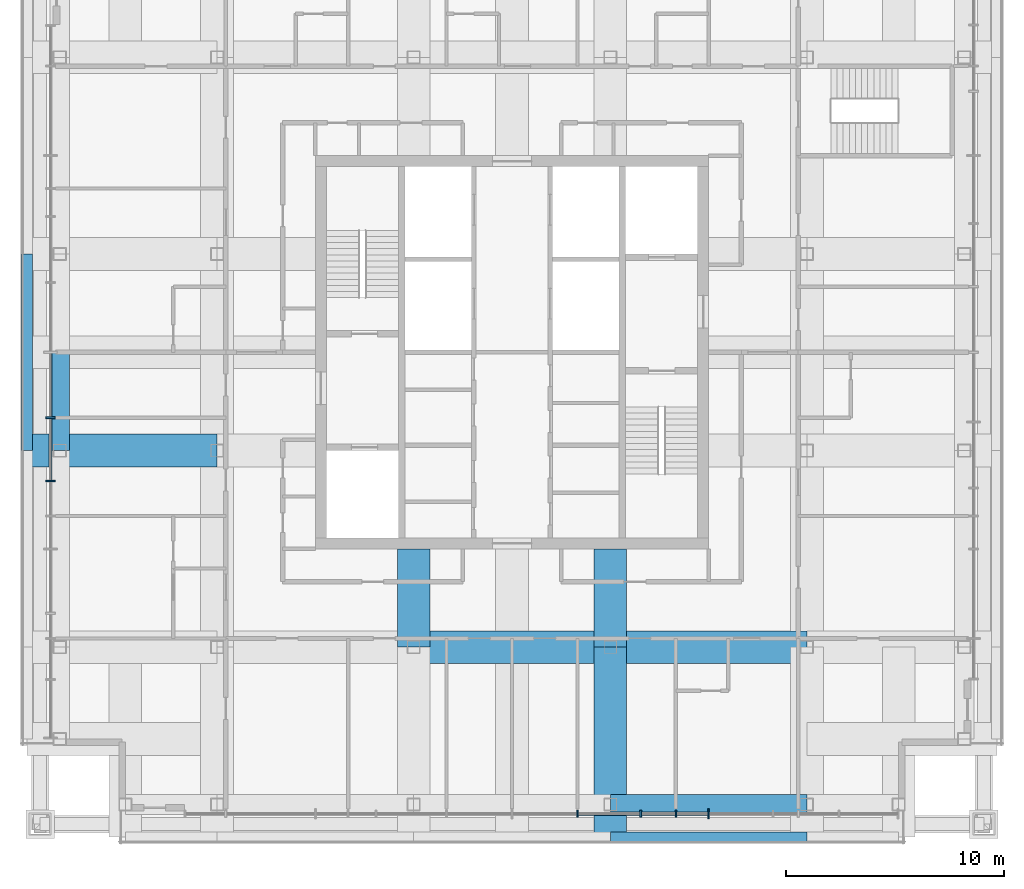
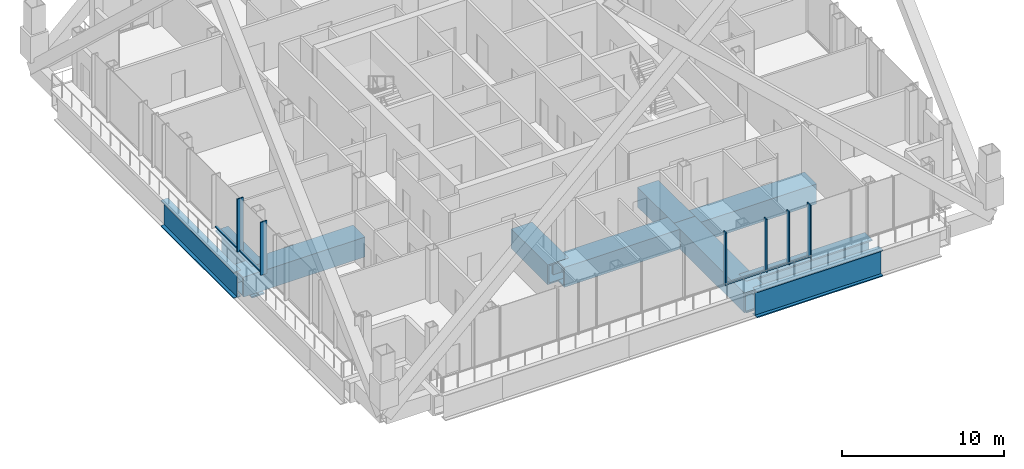
# One storey, part 4 of 19: 11 members, 10 beams, 2 elements without a shape of their own.
"""IFC4 building model written with IfcOpenShell, lengths in metres."""

import ifcopenshell
import ifcopenshell.guid

model = None  # the IFC model being written
_history = None  # IfcOwnerHistory: only IFC2X3 demands one
_inside = {}  # id of a spatial element -> (the spatial element, [elements in it])
_under = {}  # id of a project, library or spatial element -> (it, [spatial elements below it])
_declared = {}  # id of a project -> (the project, [libraries it declares])
_typed = {}  # id of a type object -> (the type object, [elements of that type])
_made_of = {}  # id of a material, layer set ... -> (it, [elements and type objects made of it])


def new_model(schema):
    """Start an empty IFC model of exactly this schema.

    Asked for "IFC4X3", IfcOpenShell would pick the latest addendum, in which some entities
    have other attributes; the version numbers below select the first issue.
    IFC2X3 requires an IfcOwnerHistory on every rooted entity: one is made here for all.
    """
    global model, _history
    if schema == "IFC4X3":
        model = ifcopenshell.file(schema_version=(4, 3, 0, 0))
    else:
        model = ifcopenshell.file(schema=schema)
    _inside.clear()
    _under.clear()
    _declared.clear()
    _typed.clear()
    _made_of.clear()
    _history = None
    if model.schema == "IFC2X3":
        org = make("IfcOrganization", Name="unknown")
        user = make(
            "IfcPersonAndOrganization",
            ThePerson=make("IfcPerson", FamilyName="unknown"),
            TheOrganization=org,
        )
        app = make(
            "IfcApplication",
            ApplicationDeveloper=org,
            Version="unknown",
            ApplicationFullName="unknown",
            ApplicationIdentifier="unknown",
        )
        _history = make(
            "IfcOwnerHistory",
            OwningUser=user,
            OwningApplication=app,
            ChangeAction="ADDED",
            CreationDate=0,
        )
    return model


def make(cls, **values):
    """One entity of the class cls with the attributes given. An attribute that is None is left unset."""
    return model.create_entity(
        cls, **{name: value for name, value in values.items() if value is not None}
    )


def rooted(cls, **values):
    """An entity with a GlobalId (a new one), such as an element, a storey or a relation."""
    return make(cls, GlobalId=ifcopenshell.guid.new(), OwnerHistory=_history, **values)


def si_unit(unit_type, name, prefix=None):
    """IfcSIUnit, for example si_unit("LENGTHUNIT", "METRE", prefix="MILLI")."""
    return make("IfcSIUnit", UnitType=unit_type, Prefix=prefix, Name=name)


def assignment(units):
    """IfcUnitAssignment: the units of a project."""
    return None if units is None else make("IfcUnitAssignment", Units=units)


def point(xyz):
    """IfcCartesianPoint."""
    return None if xyz is None else make("IfcCartesianPoint", Coordinates=xyz)


def direction(xyz):
    """IfcDirection."""
    return None if xyz is None else make("IfcDirection", DirectionRatios=xyz)


def frame(location, z_axis=None, x_axis=None):
    """IfcAxis2Placement3D, a coordinate frame: its origin and axes. An axis left out is left unset."""
    return make(
        "IfcAxis2Placement3D",
        Location=point(location),
        Axis=direction(z_axis),
        RefDirection=direction(x_axis),
    )


def frame_2d(location, x_axis=None):
    """IfcAxis2Placement2D, a coordinate frame in the plane: its origin and x axis."""
    return make(
        "IfcAxis2Placement2D", Location=point(location), RefDirection=direction(x_axis)
    )


def origin():
    """The frame at (0, 0, 0) with its axes left unset."""
    return frame((0.0, 0.0, 0.0))


def origin_2d():
    """The frame at (0, 0) in the plane with its x axis left unset."""
    return frame_2d((0.0, 0.0))


def place(relative_to, where):
    """IfcLocalPlacement: puts the frame where relative to a parent placement (None: the world)."""
    return make(
        "IfcLocalPlacement", PlacementRelTo=relative_to, RelativePlacement=where
    )


def context(
    kind, dimensions, precision=None, world=None, true_north=None, identifier=None
):
    """IfcGeometricRepresentationContext, for example the 3D "Model" context."""
    return make(
        "IfcGeometricRepresentationContext",
        ContextIdentifier=identifier,
        ContextType=kind,
        CoordinateSpaceDimension=dimensions,
        Precision=precision,
        WorldCoordinateSystem=world,
        TrueNorth=true_north,
    )


def subcontext(parent, identifier, kind, view, scale=None):
    """IfcGeometricRepresentationSubContext, for example "Body" below "Model"."""
    return make(
        "IfcGeometricRepresentationSubContext",
        ContextIdentifier=identifier,
        ContextType=kind,
        ParentContext=parent,
        TargetScale=scale,
        TargetView=view,
    )


def project(units=None, contexts=None):
    """IfcProject with its units and contexts."""
    return rooted(
        "IfcProject",
        Name="project",
        RepresentationContexts=contexts,
        UnitsInContext=assignment(units),
    )


def spatial(cls, under=None, at=None, **own):
    """A site, building, storey or space (cls), placed at a placement, below another one or the project."""
    s = rooted(cls, ObjectPlacement=at, **own)
    if under is not None:
        _under.setdefault(under.id(), (under, []))[1].append(s)
    return s


def profile(cls, at=None, kind="AREA", **sizes):
    """A parametric profile (cls). Its sizes go by their IFC names, for example OverallWidth=200.0."""
    return make(cls, ProfileType=kind, Position=at, **sizes)


def rectangle(**sizes):
    """IfcRectangleProfileDef."""
    return profile("IfcRectangleProfileDef", **sizes)


def hollow_rectangle(**sizes):
    """IfcRectangleHollowProfileDef."""
    return profile("IfcRectangleHollowProfileDef", **sizes)


def i_section(**sizes):
    """IfcIShapeProfileDef."""
    return profile("IfcIShapeProfileDef", **sizes)


def extrude(swept, where, along, depth):
    """IfcExtrudedAreaSolid: the profile swept, set in the frame where, extruded along a direction by depth."""
    return make(
        "IfcExtrudedAreaSolid",
        SweptArea=swept,
        Position=where,
        ExtrudedDirection=direction(along),
        Depth=depth,
    )


def shape(context_of_items, identifier, shape_type, items):
    """IfcShapeRepresentation: the items that make up one representation, for example the "Body"."""
    return make(
        "IfcShapeRepresentation",
        ContextOfItems=context_of_items,
        RepresentationIdentifier=identifier,
        RepresentationType=shape_type,
        Items=items,
    )


def material(Name=None, Category=None):
    """IfcMaterial."""
    return make("IfcMaterial", Name=Name, Category=Category)


def layer(
    of_material, thickness, ventilated=None, Name=None, Category=None, Priority=None
):
    """IfcMaterialLayer: one layer of a wall or slab, of a material (None: an air gap)."""
    return make(
        "IfcMaterialLayer",
        Material=of_material,
        LayerThickness=thickness,
        IsVentilated=ventilated,
        Name=Name,
        Category=Category,
        Priority=Priority,
    )


def layer_set(layers, Name=None):
    """IfcMaterialLayerSet."""
    return make("IfcMaterialLayerSet", MaterialLayers=layers, LayerSetName=Name)


def material_profile(
    of_material, cross_section, Name=None, Category=None, Priority=None
):
    """IfcMaterialProfile: a cross section and its material."""
    return make(
        "IfcMaterialProfile",
        Name=Name,
        Material=of_material,
        Profile=cross_section,
        Priority=Priority,
        Category=Category,
    )


def profile_set(profiles, Name=None, composite=None):
    """IfcMaterialProfileSet."""
    return make(
        "IfcMaterialProfileSet",
        Name=Name,
        MaterialProfiles=profiles,
        CompositeProfile=composite,
    )


def made_of(thing, what):
    """Note that an element or type object is made of a material, layer set ...; save() writes the relation."""
    if what is not None:
        _made_of.setdefault(what.id(), (what, []))[1].append(thing)
    return thing


def type_object(cls, material=None, **own):
    """A type object (cls), such as IfcWallType, which elements share."""
    return made_of(rooted(cls, **own), material)


def element(
    cls,
    number,
    at=None,
    inside=None,
    cuts=None,
    type_object=None,
    material=None,
    context=None,
    identifier="Body",
    shape_type=None,
    held_by="IfcProductDefinitionShape",
    body=None,
    shapes=None,
    **own,
):
    """One element of the class cls, such as IfcWall. Its Tag is "e" and its number.

    at: its placement. inside: the storey or other place that contains it. cuts: it is an
    opening in that element (IfcRelVoidsElement). A single representation is given by context,
    identifier, shape_type and body (its items); several are given by shapes. held_by: the class
    of the entity that holds the representations. save() writes the other relations.
    """
    e = rooted(cls, Tag="e%d" % number, ObjectPlacement=at, **own)
    if body is not None:
        shapes = [shape(context, identifier, shape_type, body)]
    if shapes is not None:
        e.Representation = make(held_by, Representations=shapes)
    if inside is not None:
        _inside.setdefault(inside.id(), (inside, []))[1].append(e)
    if cuts is not None:
        rooted(
            "IfcRelVoidsElement", RelatingBuildingElement=cuts, RelatedOpeningElement=e
        )
    if type_object is not None:
        _typed.setdefault(type_object.id(), (type_object, []))[1].append(e)
    return made_of(e, material)


def aggregate(whole, parts):
    """IfcRelAggregates: a whole, such as a stair, and the parts it consists of."""
    return rooted("IfcRelAggregates", RelatingObject=whole, RelatedObjects=parts)


def save(model, path):
    """Write the relations noted so far, then the file.

    IfcRelAggregates (storeys below a building ...), IfcRelContainedInSpatialStructure (elements
    in a storey), IfcRelDefinesByType, IfcRelAssociatesMaterial and IfcRelDeclares: one each for
    every whole, place, type object, material and project.
    """
    for whole, parts in _under.values():
        aggregate(whole, parts)
    for where, things in _inside.values():
        rooted(
            "IfcRelContainedInSpatialStructure",
            RelatedElements=things,
            RelatingStructure=where,
        )
    for kind, things in _typed.values():
        rooted("IfcRelDefinesByType", RelatedObjects=things, RelatingType=kind)
    for what, things in _made_of.values():
        rooted("IfcRelAssociatesMaterial", RelatedObjects=things, RelatingMaterial=what)
    for by, libraries in _declared.values():
        rooted("IfcRelDeclares", RelatingContext=by, RelatedDefinitions=libraries)
    model.write(path)


model = new_model("IFC4")

# Units and contexts
model_context = context("Model", 3, precision=1e-05, world=origin(), true_north=direction((0.0, 1.0)))
body_context = subcontext(model_context, "Body", "Model", "MODEL_VIEW")
ifc_project = project(units=[si_unit("LENGTHUNIT", "METRE"), si_unit("AREAUNIT", "SQUARE_METRE"), si_unit("VOLUMEUNIT", "CUBIC_METRE"), si_unit("PLANEANGLEUNIT", "RADIAN"), si_unit("MASSUNIT", "GRAM", prefix="KILO")], contexts=[model_context])

# Site, building, storey
site_placement = place(None, origin())
site = spatial("IfcSite", under=ifc_project, at=site_placement, CompositionType="ELEMENT")
building_placement = place(site_placement, origin())
building = spatial("IfcBuilding", under=site, at=building_placement, Name="Malebo Sky Hospital", CompositionType="ELEMENT")
storey_placement = place(building_placement, frame((0.0, 0.0, 250.0)))
storey = spatial("IfcBuildingStorey", under=building, at=storey_placement, Name="L60", CompositionType="ELEMENT", Elevation=250.0)

# Curtain wall, members
ifc_material_1 = material(Name="Anodised aluminium, natural silver", Category="aluminium")
ifc_layer_1 = layer(ifc_material_1, 0.25)
ifc_layer_set_1 = layer_set([ifc_layer_1], Name="WARD CURTAIN WALL EAST AND WEST")
curtain_wall_type_1 = type_object("IfcCurtainWallType", Name="WARD CURTAIN WALL EAST AND WEST", PredefinedType="NOTDEFINED", material=ifc_layer_set_1)
curtain_wall_1_placement = place(storey_placement, origin())
curtain_wall_1 = element("IfcCurtainWall", 1, at=curtain_wall_1_placement, inside=storey, type_object=curtain_wall_type_1, Name="EW curtain wall W", PredefinedType="NOTDEFINED")
ifc_material_profile_1 = material_profile(ifc_material_1, rectangle(XDim=0.14990234375, YDim=0.10009765625, at=origin_2d()), Name="ALUMINIUM TRANSOM 150x100")
ifc_profile_set_1 = profile_set([ifc_material_profile_1], Name="Anodised aluminium, natural silver")
member_type_1 = type_object("IfcMemberType", Name="ALUMINIUM TRANSOM 150x100", PredefinedType="USERDEFINED", material=ifc_profile_set_1)
member_1_placement = place(storey_placement, frame((38.875, 56.146484375, 0.050048828125), z_axis=(0.0, 1.0, 0.0), x_axis=(-1.0, 0.0, 0.0)))
member_1 = element("IfcMember", 2, at=member_1_placement, type_object=member_type_1, Name="Transom 7", ObjectType="TRANSOM", PredefinedType="USERDEFINED", context=body_context, shape_type="SweptSolid", body=[
    extrude(rectangle(XDim=0.14990234375, YDim=0.10009765625, at=origin_2d()), origin(), (0.0, 0.0, 1.0), 2.81591796875),
])
member_2_placement = place(storey_placement, frame((38.875, 59.03759765625, 0.050048828125), z_axis=(0.0, 1.0, 0.0), x_axis=(-1.0, 0.0, 0.0)))
member_2 = element("IfcMember", 3, at=member_2_placement, type_object=member_type_1, Name="Transom 8", ObjectType="TRANSOM", PredefinedType="USERDEFINED", context=body_context, shape_type="SweptSolid", body=[
    extrude(rectangle(XDim=0.14990234375, YDim=0.10009765625, at=origin_2d()), origin(), (0.0, 0.0, 1.0), 2.9248046875),
])

ifc_layer_2 = layer(ifc_material_1, 0.25)
ifc_layer_set_2 = layer_set([ifc_layer_2], Name="WARD CURTAIN WALL NORTH AND SOUTH")
curtain_wall_type_2 = type_object("IfcCurtainWallType", Name="WARD CURTAIN WALL NORTH AND SOUTH", PredefinedType="NOTDEFINED", material=ifc_layer_set_2)
curtain_wall_2_placement = place(storey_placement, origin())
curtain_wall_2 = element("IfcCurtainWall", 4, at=curtain_wall_2_placement, inside=storey, type_object=curtain_wall_type_2, Name="NS curtain wall S", PredefinedType="NOTDEFINED")
member_3_placement = place(storey_placement, frame((68.96240234375, 40.875, 0.050048828125), z_axis=(-1.0, 0.0, 0.0), x_axis=(0.0, -1.0, 0.0)))
member_3 = element("IfcMember", 5, at=member_3_placement, type_object=member_type_1, Name="Transom 5", ObjectType="TRANSOM", PredefinedType="USERDEFINED", context=body_context, shape_type="SweptSolid", body=[
    extrude(rectangle(XDim=0.14990234375, YDim=0.10009765625, at=origin_2d()), origin(), (0.0, 0.0, 1.0), 1.4248046875),
])
member_4_placement = place(storey_placement, frame((67.46240234375, 40.875, 0.050048828125), z_axis=(-1.0, 0.0, 0.0), x_axis=(0.0, -1.0, 0.0)))
member_4 = element("IfcMember", 6, at=member_4_placement, type_object=member_type_1, Name="Transom 6", ObjectType="TRANSOM", PredefinedType="USERDEFINED", context=body_context, shape_type="SweptSolid", body=[
    extrude(rectangle(XDim=0.14990234375, YDim=0.10009765625, at=origin_2d()), origin(), (0.0, 0.0, 1.0), 1.533935546875),
])
member_5_placement = place(storey_placement, frame((65.853515625, 40.875, 0.050048828125), z_axis=(-1.0, 0.0, 0.0), x_axis=(0.0, -1.0, 0.0)))
member_5 = element("IfcMember", 7, at=member_5_placement, type_object=member_type_1, Name="Transom 7", ObjectType="TRANSOM", PredefinedType="USERDEFINED", context=body_context, shape_type="SweptSolid", body=[
    extrude(rectangle(XDim=0.14990234375, YDim=0.10009765625, at=origin_2d()), origin(), (0.0, 0.0, 1.0), 2.81591796875),
])
ifc_material_profile_2 = material_profile(ifc_material_1, rectangle(XDim=0.074951171875, YDim=0.300048828125, at=origin_2d()), Name="CW1 ALUMINIUM FIN MULLION 75x300")
ifc_profile_set_2 = profile_set([ifc_material_profile_2], Name="Anodised aluminium, natural silver")
member_type_2 = type_object("IfcMemberType", Name="CW1 ALUMINIUM FIN MULLION 75x300", PredefinedType="MULLION", material=ifc_profile_set_2)
member_6_placement = place(storey_placement, frame((67.5, 40.875, 0.0), z_axis=(0.0, 0.0, 1.0), x_axis=(-1.0, 0.0, 0.0)))
member_6 = element("IfcMember", 8, at=member_6_placement, type_object=member_type_2, Name="Fin mullion 6", PredefinedType="MULLION", context=body_context, shape_type="SweptSolid", body=[
    extrude(rectangle(XDim=0.074951171875, YDim=0.300048828125, at=origin_2d()), origin(), (0.0, 0.0, 1.0), 4.0),
])
member_7_placement = place(storey_placement, frame((65.890869140625, 40.875, 0.0), z_axis=(0.0, 0.0, 1.0), x_axis=(-1.0, 0.0, 0.0)))
member_7 = element("IfcMember", 9, at=member_7_placement, type_object=member_type_2, Name="Fin mullion 7", PredefinedType="MULLION", context=body_context, shape_type="SweptSolid", body=[
    extrude(rectangle(XDim=0.074951171875, YDim=0.300048828125, at=origin_2d()), origin(), (0.0, 0.0, 1.0), 4.0),
])
member_8_placement = place(storey_placement, frame((63.0, 40.875, 0.0), z_axis=(0.0, 0.0, 1.0), x_axis=(-1.0, 0.0, 0.0)))
member_8 = element("IfcMember", 10, at=member_8_placement, type_object=member_type_2, Name="Fin mullion 8", PredefinedType="MULLION", context=body_context, shape_type="SweptSolid", body=[
    extrude(rectangle(XDim=0.074951171875, YDim=0.300048828125, at=origin_2d()), origin(), (0.0, 0.0, 1.0), 4.0),
])
ifc_material_profile_3 = material_profile(ifc_material_1, rectangle(XDim=0.074951171875, YDim=0.449951171875, at=origin_2d()), Name="CW1 ALUMINIUM FIN MULLION 75x450")
ifc_profile_set_3 = profile_set([ifc_material_profile_3], Name="Anodised aluminium, natural silver")
member_type_3 = type_object("IfcMemberType", Name="CW1 ALUMINIUM FIN MULLION 75x450", PredefinedType="MULLION", material=ifc_profile_set_3)
member_9_placement = place(storey_placement, frame((69.0, 40.875, 0.0), z_axis=(0.0, 0.0, 1.0), x_axis=(-1.0, 0.0, 0.0)))
member_9 = element("IfcMember", 11, at=member_9_placement, type_object=member_type_3, Name="Fin mullion 5", PredefinedType="MULLION", context=body_context, shape_type="SweptSolid", body=[
    extrude(rectangle(XDim=0.074951171875, YDim=0.449951171875, at=origin_2d()), origin(), (0.0, 0.0, 1.0), 4.0),
])
aggregate(curtain_wall_2, [member_9, member_6, member_7, member_8, member_3, member_4, member_5])

# Member
ifc_material_profile_4 = material_profile(ifc_material_1, rectangle(XDim=0.074951171875, YDim=0.449951171875, at=origin_2d()), Name="CW2 ALUMINIUM FIN MULLION 75x450")
ifc_profile_set_4 = profile_set([ifc_material_profile_4], Name="Anodised aluminium, natural silver")
member_type_4 = type_object("IfcMemberType", Name="CW2 ALUMINIUM FIN MULLION 75x450", PredefinedType="MULLION", material=ifc_profile_set_4)
member_10_placement = place(storey_placement, frame((38.875, 56.109130859375, 0.0), z_axis=(0.0, 0.0, 1.0), x_axis=(0.0, 1.0, 0.0)))
member_10 = element("IfcMember", 12, at=member_10_placement, type_object=member_type_4, Name="Fin mullion 7", PredefinedType="MULLION", context=body_context, shape_type="SweptSolid", body=[
    extrude(rectangle(XDim=0.074951171875, YDim=0.449951171875, at=origin_2d()), origin(), (0.0, 0.0, 1.0), 4.0),
])

member_11_placement = place(storey_placement, frame((38.875, 59.0, 0.0), z_axis=(0.0, 0.0, 1.0), x_axis=(0.0, 1.0, 0.0)))
member_11 = element("IfcMember", 13, at=member_11_placement, type_object=member_type_4, Name="Fin mullion 8", PredefinedType="MULLION", context=body_context, shape_type="SweptSolid", body=[
    extrude(rectangle(XDim=0.074951171875, YDim=0.449951171875, at=origin_2d()), origin(), (0.0, 0.0, 1.0), 4.0),
])

aggregate(curtain_wall_1, [member_10, member_11, member_1, member_2])

# Beams
ifc_material_2 = material(Name="Steel S460", Category="steel")
ifc_material_profile_5 = material_profile(ifc_material_2, hollow_rectangle(XDim=1.5, YDim=1.5, WallThickness=0.10009765625, at=origin_2d()), Name="BOX 1500x1500x100")
ifc_profile_set_5 = profile_set([ifc_material_profile_5], Name="Steel S460")
beam_type_1 = type_object("IfcBeamType", Name="TRANSFER GIRDER BOX 1500x1500x100", PredefinedType="BEAM", material=ifc_profile_set_5)
beam_1_placement = place(storey_placement, frame((55.5, 48.5, -1.0), z_axis=(0.0, 1.0, 0.0), x_axis=(-1.0, 0.0, 0.0)))
element("IfcBeam", 14, at=beam_1_placement, inside=storey, type_object=beam_type_1, Name="Beam 014 L60", PredefinedType="BEAM", context=body_context, shape_type="SweptSolid", body=[
    extrude(hollow_rectangle(XDim=1.5, YDim=1.5, WallThickness=0.10009765625, at=origin_2d()), origin(), (0.0, 0.0, 1.0), 4.5),
])
beam_2_placement = place(storey_placement, frame((64.5, 39.800048828125, -1.0), z_axis=(0.0, 1.0, 0.0), x_axis=(-1.0, 0.0, 0.0)))
element("IfcBeam", 15, at=beam_2_placement, inside=storey, type_object=beam_type_1, Name="Beam 019 L60", PredefinedType="BEAM", context=body_context, shape_type="SweptSolid", body=[
    extrude(hollow_rectangle(XDim=1.5, YDim=1.5, WallThickness=0.10009765625, at=origin_2d()), origin(), (0.0, 0.0, 1.0), 8.699951171875),
])
beam_3_placement = place(storey_placement, frame((64.5, 48.5, -1.0), z_axis=(0.0, 1.0, 0.0), x_axis=(-1.0, 0.0, 0.0)))
element("IfcBeam", 16, at=beam_3_placement, inside=storey, type_object=beam_type_1, Name="Beam 020 L60", PredefinedType="BEAM", context=body_context, shape_type="SweptSolid", body=[
    extrude(hollow_rectangle(XDim=1.5, YDim=1.5, WallThickness=0.10009765625, at=origin_2d()), origin(), (0.0, 0.0, 1.0), 4.5),
])
for number, where, z_axis, x_axis, name in (
    (17, (55.5, 48.5, -1.0), (1.0, 0.0, 0.0), (0.0, 1.0, 0.0), "Beam 046 L60"),
    (18, (64.5, 48.5, -1.0), (1.0, 0.0, 0.0), (0.0, 1.0, 0.0), "Beam 047 L60"),
):
    element("IfcBeam", number, at=place(storey_placement, frame(where, z_axis=z_axis, x_axis=x_axis)), inside=storey, type_object=beam_type_1, Name=name, PredefinedType="BEAM", context=body_context, shape_type="SweptSolid", body=[
        extrude(hollow_rectangle(XDim=1.5, YDim=1.5, WallThickness=0.10009765625, at=origin_2d()), origin(), (0.0, 0.0, 1.0), 9.0),
    ])
beam_4_placement = place(storey_placement, frame((37.800048828125, 57.5, -1.0), z_axis=(1.0, 0.0, 0.0), x_axis=(0.0, 1.0, 0.0)))
element("IfcBeam", 19, at=beam_4_placement, inside=storey, type_object=beam_type_1, Name="Beam 049 L60", PredefinedType="BEAM", context=body_context, shape_type="SweptSolid", body=[
    extrude(hollow_rectangle(XDim=1.5, YDim=1.5, WallThickness=0.10009765625, at=origin_2d()), origin(), (0.0, 0.0, 1.0), 8.699951171875),
])
ifc_material_3 = material(Name="Steel S355", Category="steel")
ifc_material_profile_6 = material_profile(ifc_material_3, i_section(OverallWidth=0.5, OverallDepth=2.0, WebThickness=0.0400390625, FlangeThickness=0.080078125, at=origin_2d()), Name="PG 2000x500x40x80")
ifc_profile_set_6 = profile_set([ifc_material_profile_6], Name="Steel S355")
beam_type_2 = type_object("IfcBeamType", Name="TRANSFER GIRDER PG 2000x500x40x80", PredefinedType="BEAM", material=ifc_profile_set_6)
for number, where, z_axis, x_axis, name in (
    (20, (37.800048828125, 57.5, -1.25), (0.0, 1.0, 0.0), (-1.0, 0.0, 0.0), "Beam 002 L60"),
    (21, (64.5, 39.800048828125, -1.25), (1.0, 0.0, 0.0), (0.0, 1.0, 0.0), "Beam 039 L60"),
):
    element("IfcBeam", number, at=place(storey_placement, frame(where, z_axis=z_axis, x_axis=x_axis)), inside=storey, type_object=beam_type_2, Name=name, PredefinedType="BEAM", context=body_context, shape_type="SweptSolid", body=[
        extrude(i_section(OverallWidth=0.5, OverallDepth=2.0, WebThickness=0.0400390625, FlangeThickness=0.080078125, at=origin_2d()), origin(), (0.0, 0.0, 1.0), 9.0),
    ])
ifc_material_profile_7 = material_profile(ifc_material_3, i_section(OverallWidth=0.89990234375, OverallDepth=2.39990234375, WebThickness=0.050048828125, FlangeThickness=0.10009765625, at=origin_2d()), Name="PG 2400x900x50x100")
ifc_profile_set_7 = profile_set([ifc_material_profile_7], Name="Steel S355")
beam_type_3 = type_object("IfcBeamType", Name="TRANSFER GIRDER PG 2400x900x50x100", PredefinedType="BEAM", material=ifc_profile_set_7)
beam_5_placement = place(storey_placement, frame((39.300048828125, 57.5, -1.449951171875), z_axis=(0.0, 1.0, 0.0), x_axis=(-1.0, 0.0, 0.0)))
element("IfcBeam", 22, at=beam_5_placement, inside=storey, type_object=beam_type_3, Name="Beam 005c L60", PredefinedType="BEAM", context=body_context, shape_type="SweptSolid", body=[
    extrude(i_section(OverallWidth=0.89990234375, OverallDepth=2.39990234375, WebThickness=0.050048828125, FlangeThickness=0.10009765625, at=origin_2d()), origin(), (0.0, 0.0, 1.0), 4.5),
])
beam_6_placement = place(storey_placement, frame((64.5, 41.300048828125, -1.449951171875), z_axis=(1.0, 0.0, 0.0), x_axis=(0.0, 1.0, 0.0)))
element("IfcBeam", 23, at=beam_6_placement, inside=storey, type_object=beam_type_3, Name="Beam 041e L60", PredefinedType="BEAM", context=body_context, shape_type="SweptSolid", body=[
    extrude(i_section(OverallWidth=0.89990234375, OverallDepth=2.39990234375, WebThickness=0.050048828125, FlangeThickness=0.10009765625, at=origin_2d()), origin(), (0.0, 0.0, 1.0), 9.0),
])

save(model, "model.ifc")
